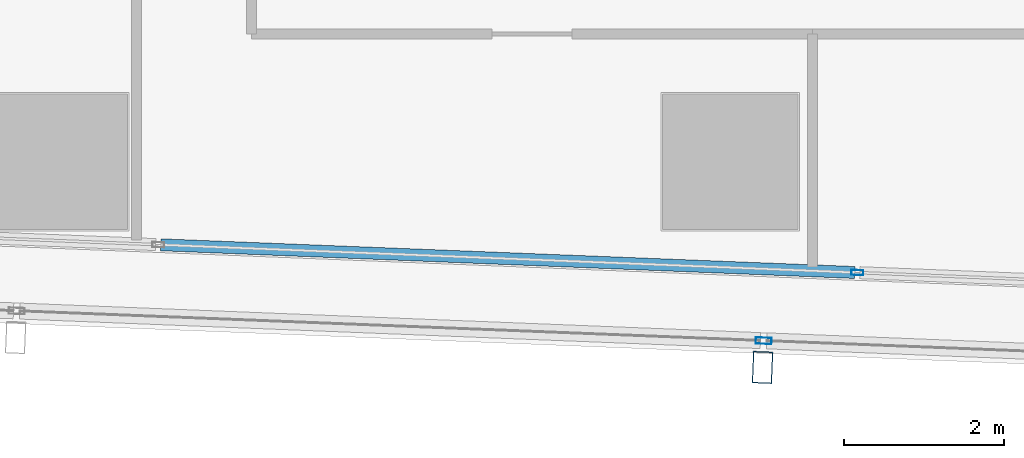
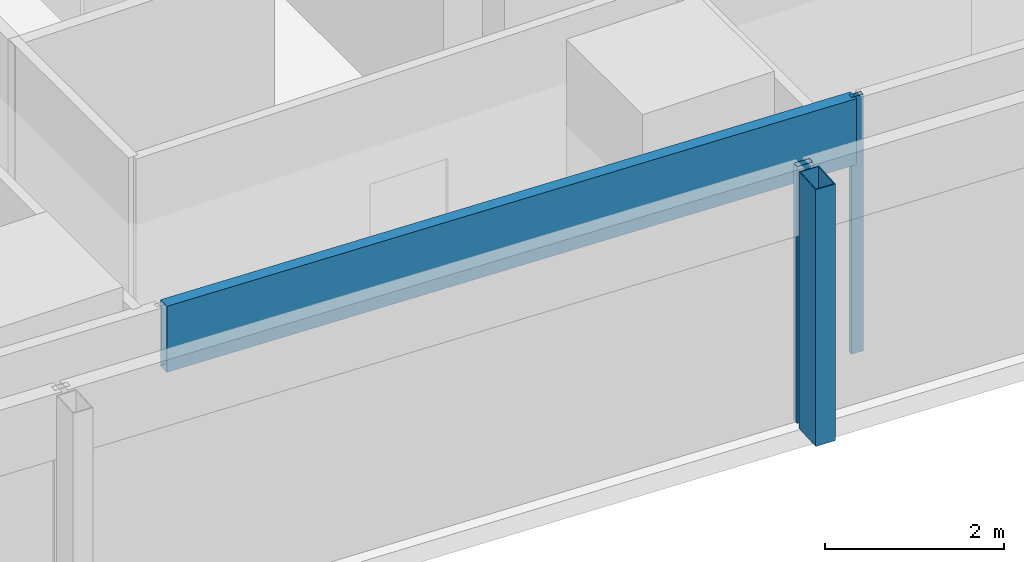
# One storey, part 6 of 39: 4 members, 2 elements without a shape of their own.
"""IFC4 building model written with IfcOpenShell, lengths in metres."""

from ifc_helpers import new_model, si_unit, direction, frame, origin, origin_2d, place, context, subcontext, project, spatial, hollow_rectangle, extrude, material, material_profile, profile_set, type_object, element, aggregate, save


model = new_model("IFC4")

# Units and contexts
model_context = context("Model", 3, precision=1e-05, world=origin(), true_north=direction((0.0, 1.0)))
body_context = subcontext(model_context, "Body", "Model", "MODEL_VIEW")
ifc_project = project(units=[si_unit("LENGTHUNIT", "METRE"), si_unit("AREAUNIT", "SQUARE_METRE"), si_unit("VOLUMEUNIT", "CUBIC_METRE"), si_unit("PLANEANGLEUNIT", "RADIAN"), si_unit("MASSUNIT", "GRAM", prefix="KILO")], contexts=[model_context])

# Site, building, storey
site_placement = place(None, origin())
site = spatial("IfcSite", under=ifc_project, at=site_placement, CompositionType="ELEMENT")
building_placement = place(site_placement, origin())
building = spatial("IfcBuilding", under=site, at=building_placement, Name="Rekha Terrace Tower", CompositionType="ELEMENT")
storey_placement = place(building_placement, frame((0.0, 0.0, 180.199951171875)))
storey = spatial("IfcBuildingStorey", under=building, at=storey_placement, Name="L45", CompositionType="ELEMENT", Elevation=180.199951171875)

# Curtain wall, member
ifc_material_1 = material(Name="Aluminium framing", Category="aluminium")
curtain_wall_type_1 = type_object("IfcCurtainWallType", Name="CW2 double skin outer glazing", PredefinedType="USERDEFINED", material=ifc_material_1)
curtain_wall_1_placement = place(storey_placement, origin())
curtain_wall_1 = element("IfcCurtainWall", 1, at=curtain_wall_1_placement, inside=storey, type_object=curtain_wall_type_1, Name="CW2 double skin outer glazing", ObjectType="DOUBLE SKIN OUTER GLAZING", PredefinedType="USERDEFINED")
ifc_material_2 = material(Name="Steel S355 with fluorocarbon finish", Category="steel")
ifc_material_profile_1 = material_profile(ifc_material_2, hollow_rectangle(XDim=0.25, YDim=0.39990234375, WallThickness=0.012451171875, at=origin_2d()), Name="RHS400x250x12.5")
ifc_profile_set_1 = profile_set([ifc_material_profile_1], Name="Steel S355 with fluorocarbon finish")
member_type_1 = type_object("IfcMemberType", Name="BL1 facade blade RHS 400 x 250", PredefinedType="USERDEFINED", material=ifc_profile_set_1)
member_1_placement = place(storey_placement, frame((25.60498046875, 14.222412109375, 0.0), z_axis=(0.0, 0.0, 1.0), x_axis=(0.999204797763, -0.039871946621, 0.0)))
member_1 = element("IfcMember", 2, at=member_1_placement, type_object=member_type_1, Name="Facade blade", ObjectType="FACADE BLADE", PredefinedType="USERDEFINED", context=body_context, shape_type="SweptSolid", body=[
    extrude(hollow_rectangle(XDim=0.25, YDim=0.39990234375, WallThickness=0.012451171875, at=origin_2d()), origin(), (0.0, 0.0, 1.0), 3.5),
])

# Curtain wall, members
curtain_wall_type_2 = type_object("IfcCurtainWallType", Name="CW1 double skin inner glazing", PredefinedType="USERDEFINED", material=ifc_material_1)
curtain_wall_2_placement = place(storey_placement, origin())
curtain_wall_2 = element("IfcCurtainWall", 3, at=curtain_wall_2_placement, inside=storey, type_object=curtain_wall_type_2, Name="CW1 double skin inner glazing", ObjectType="DOUBLE SKIN INNER GLAZING", PredefinedType="USERDEFINED")
ifc_material_3 = material(Name="Aluminium mullion section", Category="aluminium")
ifc_material_profile_2 = material_profile(ifc_material_3, hollow_rectangle(XDim=0.06494140625, YDim=0.14990234375, WallThickness=0.00390625, at=origin_2d()), Name="AL RHS 65x150")
ifc_profile_set_2 = profile_set([ifc_material_profile_2], Name="Aluminium mullion section")
member_type_2 = type_object("IfcMemberType", Name="CW1 mullion RHS 65 x 150", PredefinedType="MULLION", material=ifc_profile_set_2)
member_2_placement = place(storey_placement, frame((26.792724609375, 15.4111328125, 0.0), z_axis=(0.0, 0.0, 1.0), x_axis=(0.039872497044, 0.999204775799, 0.0)))
member_2 = element("IfcMember", 4, at=member_2_placement, type_object=member_type_2, Name="CW1 mullion 3", PredefinedType="MULLION", context=body_context, shape_type="SweptSolid", body=[
    extrude(hollow_rectangle(XDim=0.06494140625, YDim=0.14990234375, WallThickness=0.00390625, at=origin_2d()), origin(), (0.0, 0.0, 1.0), 3.5),
])
ifc_material_4 = material(Name="Insulated aluminium spandrel box", Category="aluminium")
ifc_material_profile_3 = material_profile(ifc_material_4, hollow_rectangle(XDim=0.14990234375, YDim=0.89990234375, WallThickness=0.0029296875, at=origin_2d()), Name="AL SPANDREL BOX 150x900")
ifc_profile_set_3 = profile_set([ifc_material_profile_3], Name="Insulated aluminium spandrel box")
member_type_3 = type_object("IfcMemberType", Name="CW1 spandrel transom 150 x 900", PredefinedType="USERDEFINED", material=ifc_profile_set_3)
member_3_placement = place(storey_placement, frame((18.065673828125, 15.75927734375, 3.050048828125), z_axis=(0.999204898015, -0.039869434198, 0.0), x_axis=(0.039869434198, 0.999204898015, 0.0)))
member_3 = element("IfcMember", 5, at=member_3_placement, type_object=member_type_3, Name="CW1 spandrel transom 2", ObjectType="TRANSOM", PredefinedType="USERDEFINED", context=body_context, shape_type="SweptSolid", body=[
    extrude(hollow_rectangle(XDim=0.14990234375, YDim=0.89990234375, WallThickness=0.0029296875, at=origin_2d()), origin(), (0.0, 0.0, 1.0), 8.701416015625),
])
aggregate(curtain_wall_2, [member_2, member_3])

# Member
ifc_material_profile_4 = material_profile(ifc_material_3, hollow_rectangle(XDim=0.080078125, YDim=0.199951171875, WallThickness=0.00390625, at=origin_2d()), Name="AL RHS 80x200")
ifc_profile_set_4 = profile_set([ifc_material_profile_4], Name="Aluminium mullion section")
member_type_4 = type_object("IfcMemberType", Name="CW2 mullion RHS 80 x 200", PredefinedType="MULLION", material=ifc_profile_set_4)
member_4_placement = place(storey_placement, frame((25.618408203125, 14.55712890625, 0.0), z_axis=(0.0, 0.0, 1.0), x_axis=(0.039872497044, 0.999204775799, 0.0)))
member_4 = element("IfcMember", 6, at=member_4_placement, type_object=member_type_4, Name="CW2 mullion 3", PredefinedType="MULLION", context=body_context, shape_type="SweptSolid", body=[
    extrude(hollow_rectangle(XDim=0.080078125, YDim=0.199951171875, WallThickness=0.00390625, at=origin_2d()), origin(), (0.0, 0.0, 1.0), 3.5),
])

aggregate(curtain_wall_1, [member_4, member_1])

save(model, "model.ifc")
